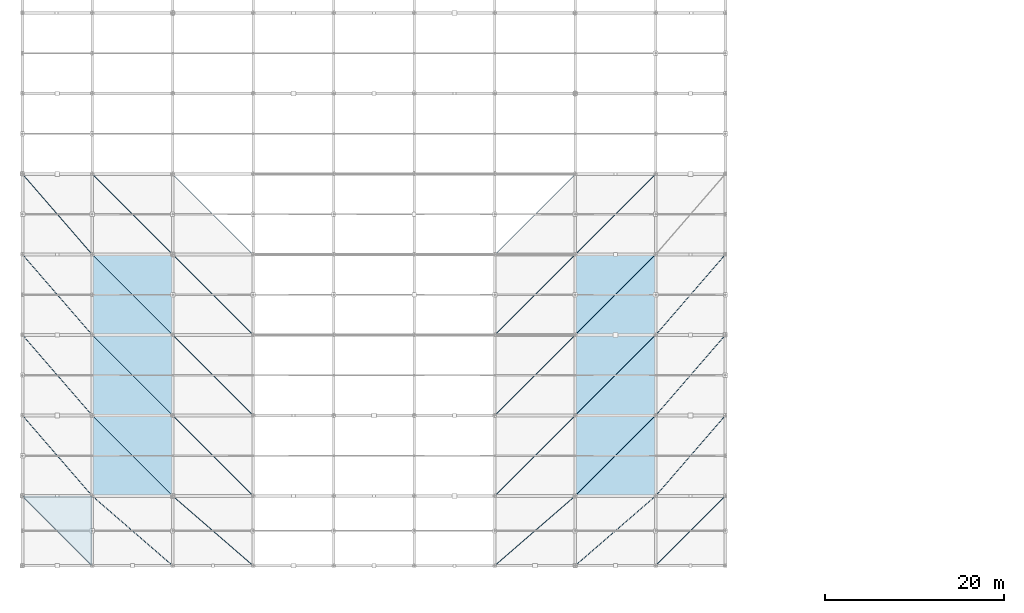
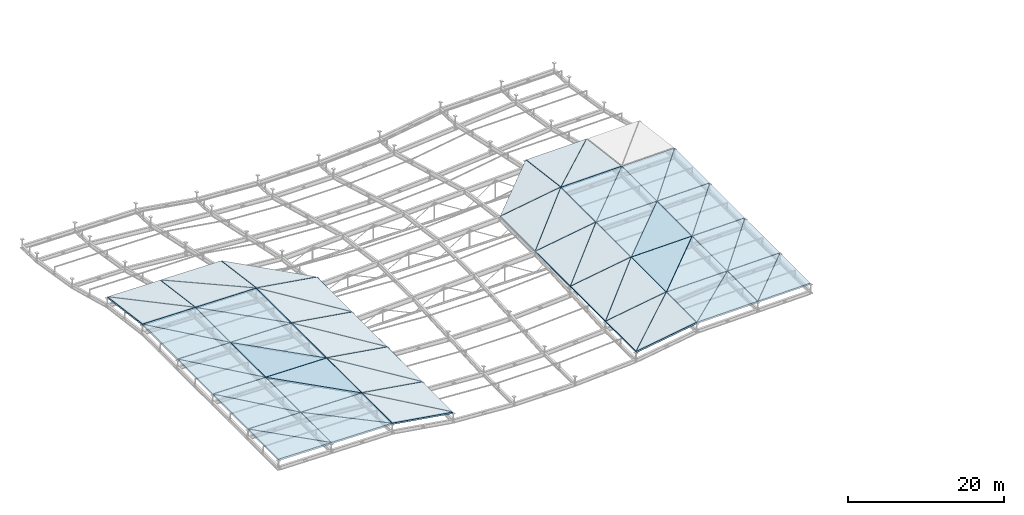
# One storey, part 74 of 80: 56 slabs.
"""IFC4 building model written with IfcOpenShell, lengths in metres."""

import ifcopenshell
import ifcopenshell.guid

model = None  # the IFC model being written
_history = None  # IfcOwnerHistory: only IFC2X3 demands one
_inside = {}  # id of a spatial element -> (the spatial element, [elements in it])
_under = {}  # id of a project, library or spatial element -> (it, [spatial elements below it])
_declared = {}  # id of a project -> (the project, [libraries it declares])
_typed = {}  # id of a type object -> (the type object, [elements of that type])
_made_of = {}  # id of a material, layer set ... -> (it, [elements and type objects made of it])


def new_model(schema):
    """Start an empty IFC model of exactly this schema.

    Asked for "IFC4X3", IfcOpenShell would pick the latest addendum, in which some entities
    have other attributes; the version numbers below select the first issue.
    IFC2X3 requires an IfcOwnerHistory on every rooted entity: one is made here for all.
    """
    global model, _history
    if schema == "IFC4X3":
        model = ifcopenshell.file(schema_version=(4, 3, 0, 0))
    else:
        model = ifcopenshell.file(schema=schema)
    _inside.clear()
    _under.clear()
    _declared.clear()
    _typed.clear()
    _made_of.clear()
    _history = None
    if model.schema == "IFC2X3":
        org = make("IfcOrganization", Name="unknown")
        user = make(
            "IfcPersonAndOrganization",
            ThePerson=make("IfcPerson", FamilyName="unknown"),
            TheOrganization=org,
        )
        app = make(
            "IfcApplication",
            ApplicationDeveloper=org,
            Version="unknown",
            ApplicationFullName="unknown",
            ApplicationIdentifier="unknown",
        )
        _history = make(
            "IfcOwnerHistory",
            OwningUser=user,
            OwningApplication=app,
            ChangeAction="ADDED",
            CreationDate=0,
        )
    return model


def make(cls, **values):
    """One entity of the class cls with the attributes given. An attribute that is None is left unset."""
    return model.create_entity(
        cls, **{name: value for name, value in values.items() if value is not None}
    )


def rooted(cls, **values):
    """An entity with a GlobalId (a new one), such as an element, a storey or a relation."""
    return make(cls, GlobalId=ifcopenshell.guid.new(), OwnerHistory=_history, **values)


def si_unit(unit_type, name, prefix=None):
    """IfcSIUnit, for example si_unit("LENGTHUNIT", "METRE", prefix="MILLI")."""
    return make("IfcSIUnit", UnitType=unit_type, Prefix=prefix, Name=name)


def assignment(units):
    """IfcUnitAssignment: the units of a project."""
    return None if units is None else make("IfcUnitAssignment", Units=units)


def point(xyz):
    """IfcCartesianPoint."""
    return None if xyz is None else make("IfcCartesianPoint", Coordinates=xyz)


def direction(xyz):
    """IfcDirection."""
    return None if xyz is None else make("IfcDirection", DirectionRatios=xyz)


def frame(location, z_axis=None, x_axis=None):
    """IfcAxis2Placement3D, a coordinate frame: its origin and axes. An axis left out is left unset."""
    return make(
        "IfcAxis2Placement3D",
        Location=point(location),
        Axis=direction(z_axis),
        RefDirection=direction(x_axis),
    )


def origin():
    """The frame at (0, 0, 0) with its axes left unset."""
    return frame((0.0, 0.0, 0.0))


def place(relative_to, where):
    """IfcLocalPlacement: puts the frame where relative to a parent placement (None: the world)."""
    return make(
        "IfcLocalPlacement", PlacementRelTo=relative_to, RelativePlacement=where
    )


def context(
    kind, dimensions, precision=None, world=None, true_north=None, identifier=None
):
    """IfcGeometricRepresentationContext, for example the 3D "Model" context."""
    return make(
        "IfcGeometricRepresentationContext",
        ContextIdentifier=identifier,
        ContextType=kind,
        CoordinateSpaceDimension=dimensions,
        Precision=precision,
        WorldCoordinateSystem=world,
        TrueNorth=true_north,
    )


def subcontext(parent, identifier, kind, view, scale=None):
    """IfcGeometricRepresentationSubContext, for example "Body" below "Model"."""
    return make(
        "IfcGeometricRepresentationSubContext",
        ContextIdentifier=identifier,
        ContextType=kind,
        ParentContext=parent,
        TargetScale=scale,
        TargetView=view,
    )


def project(units=None, contexts=None):
    """IfcProject with its units and contexts."""
    return rooted(
        "IfcProject",
        Name="project",
        RepresentationContexts=contexts,
        UnitsInContext=assignment(units),
    )


def spatial(cls, under=None, at=None, **own):
    """A site, building, storey or space (cls), placed at a placement, below another one or the project."""
    s = rooted(cls, ObjectPlacement=at, **own)
    if under is not None:
        _under.setdefault(under.id(), (under, []))[1].append(s)
    return s


def polyline(points):
    """IfcPolyline through the points."""
    return make("IfcPolyline", Points=[point(p) for p in points])


def outline(outer, holes=None, kind="AREA"):
    """IfcArbitraryClosedProfileDef: a profile drawn as a closed curve; with holes, ...WithVoids."""
    if holes is None:
        return make("IfcArbitraryClosedProfileDef", ProfileType=kind, OuterCurve=outer)
    return make(
        "IfcArbitraryProfileDefWithVoids",
        ProfileType=kind,
        OuterCurve=outer,
        InnerCurves=holes,
    )


def extrude(swept, where, along, depth):
    """IfcExtrudedAreaSolid: the profile swept, set in the frame where, extruded along a direction by depth."""
    return make(
        "IfcExtrudedAreaSolid",
        SweptArea=swept,
        Position=where,
        ExtrudedDirection=direction(along),
        Depth=depth,
    )


def shape(context_of_items, identifier, shape_type, items):
    """IfcShapeRepresentation: the items that make up one representation, for example the "Body"."""
    return make(
        "IfcShapeRepresentation",
        ContextOfItems=context_of_items,
        RepresentationIdentifier=identifier,
        RepresentationType=shape_type,
        Items=items,
    )


def material(Name=None, Category=None):
    """IfcMaterial."""
    return make("IfcMaterial", Name=Name, Category=Category)


def layer(
    of_material, thickness, ventilated=None, Name=None, Category=None, Priority=None
):
    """IfcMaterialLayer: one layer of a wall or slab, of a material (None: an air gap)."""
    return make(
        "IfcMaterialLayer",
        Material=of_material,
        LayerThickness=thickness,
        IsVentilated=ventilated,
        Name=Name,
        Category=Category,
        Priority=Priority,
    )


def layer_set(layers, Name=None):
    """IfcMaterialLayerSet."""
    return make("IfcMaterialLayerSet", MaterialLayers=layers, LayerSetName=Name)


def made_of(thing, what):
    """Note that an element or type object is made of a material, layer set ...; save() writes the relation."""
    if what is not None:
        _made_of.setdefault(what.id(), (what, []))[1].append(thing)
    return thing


def type_object(cls, material=None, **own):
    """A type object (cls), such as IfcWallType, which elements share."""
    return made_of(rooted(cls, **own), material)


def element(
    cls,
    number,
    at=None,
    inside=None,
    cuts=None,
    type_object=None,
    material=None,
    context=None,
    identifier="Body",
    shape_type=None,
    held_by="IfcProductDefinitionShape",
    body=None,
    shapes=None,
    **own,
):
    """One element of the class cls, such as IfcWall. Its Tag is "e" and its number.

    at: its placement. inside: the storey or other place that contains it. cuts: it is an
    opening in that element (IfcRelVoidsElement). A single representation is given by context,
    identifier, shape_type and body (its items); several are given by shapes. held_by: the class
    of the entity that holds the representations. save() writes the other relations.
    """
    e = rooted(cls, Tag="e%d" % number, ObjectPlacement=at, **own)
    if body is not None:
        shapes = [shape(context, identifier, shape_type, body)]
    if shapes is not None:
        e.Representation = make(held_by, Representations=shapes)
    if inside is not None:
        _inside.setdefault(inside.id(), (inside, []))[1].append(e)
    if cuts is not None:
        rooted(
            "IfcRelVoidsElement", RelatingBuildingElement=cuts, RelatedOpeningElement=e
        )
    if type_object is not None:
        _typed.setdefault(type_object.id(), (type_object, []))[1].append(e)
    return made_of(e, material)


def aggregate(whole, parts):
    """IfcRelAggregates: a whole, such as a stair, and the parts it consists of."""
    return rooted("IfcRelAggregates", RelatingObject=whole, RelatedObjects=parts)


def save(model, path):
    """Write the relations noted so far, then the file.

    IfcRelAggregates (storeys below a building ...), IfcRelContainedInSpatialStructure (elements
    in a storey), IfcRelDefinesByType, IfcRelAssociatesMaterial and IfcRelDeclares: one each for
    every whole, place, type object, material and project.
    """
    for whole, parts in _under.values():
        aggregate(whole, parts)
    for where, things in _inside.values():
        rooted(
            "IfcRelContainedInSpatialStructure",
            RelatedElements=things,
            RelatingStructure=where,
        )
    for kind, things in _typed.values():
        rooted("IfcRelDefinesByType", RelatedObjects=things, RelatingType=kind)
    for what, things in _made_of.values():
        rooted("IfcRelAssociatesMaterial", RelatedObjects=things, RelatingMaterial=what)
    for by, libraries in _declared.values():
        rooted("IfcRelDeclares", RelatingContext=by, RelatedDefinitions=libraries)
    model.write(path)


model = new_model("IFC4")

# Units and contexts
model_context = context("Model", 3, precision=1e-05, world=origin(), true_north=direction((0.0, 1.0)))
body_context = subcontext(model_context, "Body", "Model", "MODEL_VIEW")
ifc_project = project(units=[si_unit("LENGTHUNIT", "METRE"), si_unit("AREAUNIT", "SQUARE_METRE"), si_unit("VOLUMEUNIT", "CUBIC_METRE"), si_unit("PLANEANGLEUNIT", "RADIAN"), si_unit("MASSUNIT", "GRAM", prefix="KILO")], contexts=[model_context])

# Site, building, storey
site_placement = place(None, origin())
site = spatial("IfcSite", under=ifc_project, at=site_placement, CompositionType="ELEMENT")
building_placement = place(site_placement, origin())
building = spatial("IfcBuilding", under=site, at=building_placement, Name="Barlavento Convention Centre", CompositionType="ELEMENT")
storey_placement = place(building_placement, frame((0.0, 0.0, 29.800048828125)))
storey = spatial("IfcBuildingStorey", under=building, at=storey_placement, Name="RF", CompositionType="ELEMENT", Elevation=29.800048828125)

# Slabs
ifc_material = material(Name="Concrete C40/50", Category="concrete")
ifc_layer_1 = layer(ifc_material, 0.239990234375)
ifc_layer_set_1 = layer_set([ifc_layer_1], Name="STR-SLB-CONG-150")
slab_type_1 = type_object("IfcSlabType", Name="STR-SLB-CONG-150", PredefinedType="ROOF", material=ifc_layer_set_1)
slab_1_placement = place(storey_placement, frame((-0.0126953125, 0.029296875, 1.68701171875), z_axis=(0.014487110428, -1.3844544e-05, 0.999895056213), x_axis=(-0.000927820585, 0.999999569202, 2.7288841e-05)))
element("IfcSlab", 1, at=slab_1_placement, inside=storey, type_object=slab_type_1, Name="Congress sweeping roof facet CRF-04", PredefinedType="ROOF", context=body_context, shape_type="SweptSolid", body=[
    extrude(outline(polyline([(0.0, 0.0), (8.946537057274847, 1.4475793068575993e-18), (8.961788501224321, 7.752023415489901), (0.0, 0.0)])), origin(), (0.0, 0.0, -1.0), 0.239990234375),
])
slab_2_placement = place(storey_placement, frame((-7.779052734375, 9.024169921875, 1.799560546875), z_axis=(0.014486654237, -1.3844967e-05, 0.999895062823), x_axis=(0.999894522736, -0.001039260449, -0.014486660802)))
element("IfcSlab", 2, at=slab_2_placement, inside=storey, type_object=slab_type_1, Name="Congress sweeping roof facet CRF-05", PredefinedType="ROOF", context=body_context, shape_type="SweptSolid", body=[
    extrude(outline(polyline([(0.0, 0.0), (7.752282533304939, -8.585737711606402e-19), (-0.017601220600852913, 8.946519743130589), (0.0, 0.0)])), origin(), (0.0, 0.0, -1.0), 0.239990234375),
])
slab_3_placement = place(storey_placement, frame((-0.0126953125, 27.029296875, 1.68701171875), z_axis=(0.014217764248, 0.130648130895, 0.99132684876), x_axis=(-0.000919868028, 0.991428349234, -0.130648314871)))
element("IfcSlab", 3, at=slab_3_placement, inside=storey, type_object=slab_type_1, Name="Congress sweeping roof facet CRF-10", PredefinedType="ROOF", context=body_context, shape_type="SweptSolid", body=[
    extrude(outline(polyline([(0.0, 0.0), (9.02388277482726, 0.0), (9.024615107719923, 7.752006863132428), (0.0, 0.0)])), origin(), (0.0, 0.0, -1.0), 0.239990234375),
])
slab_4_placement = place(storey_placement, frame((8.98388671875, -7.772216796875, 1.556640625), z_axis=(0.014488873606, 1.5059776e-05, 0.999895030648), x_axis=(-0.001039402254, 0.999999459821, 0.0)))
element("IfcSlab", 4, at=slab_4_placement, inside=storey, type_object=slab_type_1, Name="Congress sweeping roof facet CRF-18", PredefinedType="ROOF", context=body_context, shape_type="SweptSolid", body=[
    extrude(outline(polyline([(0.0, 0.0), (7.751224890171345, 0.0), (7.768824713717596, 8.9474589515149), (0.0, 0.0)])), origin(), (0.0, 0.0, -1.0), 0.239990234375),
])
slab_5_placement = place(storey_placement, frame((0.022705078125, 0.022705078125, 1.6865234375), z_axis=(0.014512563533, -1.3817524e-05, 0.999894687109), x_axis=(0.99989425694, -0.000927495082, -0.014512570107)))
element("IfcSlab", 5, at=slab_5_placement, inside=storey, type_object=slab_type_1, Name="Congress sweeping roof facet CRF-19", PredefinedType="ROOF", context=body_context, shape_type="SweptSolid", body=[
    extrude(outline(polyline([(0.0, 0.0), (8.949676834963755, 1.3953544317034513e-18), (-0.01660335010791814, 8.948718919134393), (0.0, 0.0)])), origin(), (0.0, 0.0, -1.0), 0.239990234375),
])
slab_6_placement = place(storey_placement, frame((8.985595703125, 18.028564453125, 1.556396484375), z_axis=(0.014512563533, -1.3817524e-05, 0.999894687109), x_axis=(-0.000927592769, 0.999999569414, 2.728214e-05)))
element("IfcSlab", 6, at=slab_6_placement, inside=storey, type_object=slab_type_1, Name="Congress sweeping roof facet CRF-24", PredefinedType="ROOF", context=body_context, shape_type="SweptSolid", body=[
    extrude(outline(polyline([(0.0, 0.0), (8.948734321953502, -3.7269449679189215e-20), (8.965339420786202, 8.949661430522365), (0.0, 0.0)])), origin(), (0.0, 0.0, -1.0), 0.239990234375),
])
slab_7_placement = place(storey_placement, frame((0.022705078125, 27.022705078125, 1.6865234375), z_axis=(0.014509484782, 0.130509979158, 0.991340819391), x_axis=(0.99989425694, -0.000927495082, -0.014512570107)))
element("IfcSlab", 7, at=slab_7_placement, inside=storey, type_object=slab_type_1, Name="Congress sweeping roof facet CRF-25", PredefinedType="ROOF", context=body_context, shape_type="SweptSolid", body=[
    extrude(outline(polyline([(0.0, 0.0), (8.949676834963755, 0.0), (0.0004956887922490799, 9.025933693689018), (0.0, 0.0)])), origin(), (0.0, 0.0, -1.0), 0.239990234375),
])
slab_8_placement = place(storey_placement, frame((9.024169921875, -7.779052734375, 1.555908203125), z_axis=(0.155461560065, 0.000130468962, 0.987841933874), x_axis=(0.987841545955, -0.000916540116, -0.155461377965)))
element("IfcSlab", 8, at=slab_8_placement, inside=storey, type_object=slab_type_1, Name="Congress sweeping roof facet CRF-33", PredefinedType="ROOF", context=body_context, shape_type="SweptSolid", body=[
    extrude(outline(polyline([(0.0, 0.0), (9.056648042143944, -1.6263032587282567e-19), (-0.015101167257713823, 7.751454324686592), (0.0, 0.0)])), origin(), (0.0, 0.0, -1.0), 0.239990234375),
])
slab_9_placement = place(storey_placement, frame((17.985595703125, 9.028564453125, 0.145751953125), z_axis=(0.155529397846, 9.517193e-06, 0.987831264091), x_axis=(-0.000927592761, 0.999999560482, 0.0001364107)))
element("IfcSlab", 9, at=slab_9_placement, inside=storey, type_object=slab_type_1, Name="Congress sweeping roof facet CRF-38", PredefinedType="ROOF", context=body_context, shape_type="SweptSolid", body=[
    extrude(outline(polyline([(0.0, 0.0), (8.948734401881646, 4.0657581468206416e-19), (8.965528150969341, 9.058954865244859), (0.0, 0.0)])), origin(), (0.0, 0.0, -1.0), 0.239990234375),
])
slab_10_placement = place(storey_placement, frame((9.022705078125, 18.022705078125, 1.555908203125), z_axis=(0.155424298613, 0.000117219904, 0.987847798834), x_axis=(0.987847407595, -0.000916320507, -0.155424128324)))
element("IfcSlab", 10, at=slab_10_placement, inside=storey, type_object=slab_type_1, Name="Congress sweeping roof facet CRF-39", PredefinedType="ROOF", context=body_context, shape_type="SweptSolid", body=[
    extrude(outline(polyline([(0.0, 0.0), (9.058818598856378, -7.589415207398531e-19), (-0.01643775582147386, 8.948719224843977), (0.0, 0.0)])), origin(), (0.0, 0.0, -1.0), 0.239990234375),
])
slab_11_placement = place(storey_placement, frame((45.014404296875, 0.028564453125, 0.145751953125), z_axis=(-0.155529397846, 9.517193e-06, 0.987831264091), x_axis=(0.702765505185, 0.702765505185, 0.110640360825)))
element("IfcSlab", 11, at=slab_11_placement, inside=storey, type_object=slab_type_1, Name="Congress sweeping roof facet CRF-16", PredefinedType="ROOF", context=body_context, shape_type="SweptSolid", body=[
    extrude(outline(polyline([(0.0, 0.0), (12.74540537905198, -2.7755575615628914e-17), (6.294827650400344, 6.360423904676117), (0.0, 0.0)])), origin(), (0.0, 0.0, -1.0), 0.239990234375),
])
slab_12_placement = place(storey_placement, frame((45.028564453125, 9.014404296875, 0.14794921875), z_axis=(-0.155424298613, 0.000117219904, 0.987847798834), x_axis=(0.987847407595, 0.000916320507, 0.155424128324)))
element("IfcSlab", 12, at=slab_12_placement, inside=storey, type_object=slab_type_1, Name="Congress sweeping roof facet CRF-17", PredefinedType="ROOF", context=body_context, shape_type="SweptSolid", body=[
    extrude(outline(polyline([(0.0, 0.0), (9.058818598856378, 7.589415207398531e-19), (9.075256354677851, 8.948719224843977), (0.0, 0.0)])), origin(), (0.0, 0.0, -1.0), 0.239990234375),
])
slab_13_placement = place(storey_placement, frame((54.01611328125, -7.772216796875, 1.556640625), z_axis=(-0.014488873606, 1.5059776e-05, 0.999895030648), x_axis=(0.75569076112, 0.654837217424, 0.010940394628)))
element("IfcSlab", 13, at=slab_13_placement, inside=storey, type_object=slab_type_1, Name="Congress sweeping roof facet CRF-30", PredefinedType="ROOF", context=body_context, shape_type="SweptSolid", body=[
    extrude(outline(polyline([(0.0, 0.0), (11.84954257013803, -1.8214596497756474e-16), (5.081876125758723, 5.852864456012568), (0.0, 0.0)])), origin(), (0.0, 0.0, -1.0), 0.239990234375),
])
slab_14_placement = place(storey_placement, frame((54.028564453125, 0.014404296875, 1.556640625), z_axis=(-0.014512563533, -1.3817524e-05, 0.999894687109), x_axis=(0.99989425694, 0.000927495082, 0.014512570107)))
element("IfcSlab", 14, at=slab_14_placement, inside=storey, type_object=slab_type_1, Name="Congress sweeping roof facet CRF-31", PredefinedType="ROOF", context=body_context, shape_type="SweptSolid", body=[
    extrude(outline(polyline([(0.0, 0.0), (8.949676834963755, -1.3953544317034513e-18), (8.966280185071675, 8.948718919134393), (0.0, 0.0)])), origin(), (0.0, 0.0, -1.0), 0.239990234375),
])
slab_15_placement = place(storey_placement, frame((54.014404296875, 18.028564453125, 1.556396484375), z_axis=(-0.014512563533, -1.3817524e-05, 0.999894687109), x_axis=(0.707069473615, 0.707069473615, 0.010272242407)))
element("IfcSlab", 15, at=slab_15_placement, inside=storey, type_object=slab_type_1, Name="Congress sweeping roof facet CRF-36", PredefinedType="ROOF", context=body_context, shape_type="SweptSolid", body=[
    extrude(outline(polyline([(0.0, 0.0), (12.667823437784516, -7.619772868228125e-16), (6.333245878960833, 6.322170719107026), (0.0, 0.0)])), origin(), (0.0, 0.0, -1.0), 0.239990234375),
])
slab_16_placement = place(storey_placement, frame((54.028564453125, 27.014404296875, 1.556640625), z_axis=(-0.014509484782, 0.130509979158, 0.991340819391), x_axis=(0.99989425694, 0.000927495082, 0.014512570107)))
element("IfcSlab", 16, at=slab_16_placement, inside=storey, type_object=slab_type_1, Name="Congress sweeping roof facet CRF-37", PredefinedType="ROOF", context=body_context, shape_type="SweptSolid", body=[
    extrude(outline(polyline([(0.0, 0.0), (8.949676834963755, 0.0), (8.949181146171506, 9.02593369368902), (0.0, 0.0)])), origin(), (0.0, 0.0, -1.0), 0.239990234375),
])
slab_17_placement = place(storey_placement, frame((63.028564453125, -7.78564453125, 1.687255859375), z_axis=(-0.014491671197, -1.5979652e-05, 0.999894990092), x_axis=(0.999894416378, 0.001071124174, 0.01449168)))
element("IfcSlab", 17, at=slab_17_placement, inside=storey, type_object=slab_type_1, Name="Congress sweeping roof facet CRF-03", PredefinedType="ROOF", context=body_context, shape_type="SweptSolid", body=[
    extrude(outline(polyline([(0.0, 0.0), (7.7495975274515025, -1.267703919574268e-18), (7.7662008751062155, 7.7487659587252535), (0.0, 0.0)])), origin(), (0.0, 0.0, -1.0), 0.239990234375),
])
slab_18_placement = place(storey_placement, frame((63.0126953125, 9.029296875, 1.68701171875), z_axis=(-0.014487110428, -1.3844544e-05, 0.999895056213), x_axis=(0.65484686903, 0.755701899201, 0.009498298041)))
element("IfcSlab", 18, at=slab_18_placement, inside=storey, type_object=slab_type_1, Name="Congress sweeping roof facet CRF-08", PredefinedType="ROOF", context=body_context, shape_type="SweptSolid", body=[
    extrude(outline(polyline([(0.0, 0.0), (11.849367923015143, 5.499073418846478e-16), (6.7663501923958735, 5.852950571383327), (0.0, 0.0)])), origin(), (0.0, 0.0, -1.0), 0.239990234375),
])
slab_19_placement = place(storey_placement, frame((63.027587890625, 18.01611328125, 1.687255859375), z_axis=(-0.014486654237, -1.3844967e-05, 0.999895062823), x_axis=(0.999894522736, 0.001039260449, 0.014486660802)))
element("IfcSlab", 19, at=slab_19_placement, inside=storey, type_object=slab_type_1, Name="Congress sweeping roof facet CRF-09", PredefinedType="ROOF", context=body_context, shape_type="SweptSolid", body=[
    extrude(outline(polyline([(0.0, 0.0), (7.752282533304939, 8.585737711606402e-19), (7.769883753905792, 8.946519743130589), (0.0, 0.0)])), origin(), (0.0, 0.0, -1.0), 0.239990234375),
])
ifc_layer_2 = layer(ifc_material, 0.2548828125)
ifc_layer_set_2 = layer_set([ifc_layer_2], Name="STR-SLB-CONG-165")
slab_type_2 = type_object("IfcSlabType", Name="STR-SLB-CONG-165", PredefinedType="ROOF", material=ifc_layer_set_2)
slab_20_placement = place(storey_placement, frame((-0.014404296875, -7.771484375, 1.68701171875), z_axis=(0.014491671197, -1.5979652e-05, 0.999894990092), x_axis=(-0.001071236664, 0.999999425729, 3.1506961e-05)))
element("IfcSlab", 20, at=slab_20_placement, inside=storey, type_object=slab_type_2, Name="Congress sweeping roof facet CRF-02", PredefinedType="ROOF", context=body_context, shape_type="SweptSolid", body=[
    extrude(outline(polyline([(0.0, 0.0), (7.748783746772949, -8.614325073576234e-19), (7.765388838118538, 7.749579737535699), (0.0, 0.0)])), origin(), (0.0, 0.0, -1.0), 0.2548828125),
])
slab_21_placement = place(storey_placement, frame((-7.779052734375, 0.024169921875, 1.799560546875), z_axis=(0.014486654237, -1.3844967e-05, 0.999895062823), x_axis=(0.999894522736, -0.001039260449, -0.014486660802)))
element("IfcSlab", 21, at=slab_21_placement, inside=storey, type_object=slab_type_2, Name="Congress sweeping roof facet CRF-03", PredefinedType="ROOF", context=body_context, shape_type="SweptSolid", body=[
    extrude(outline(polyline([(0.0, 0.0), (7.752282533304939, -8.585737711606402e-19), (-0.017601220600852913, 8.946519743130589), (0.0, 0.0)])), origin(), (0.0, 0.0, -1.0), 0.2548828125),
])
slab_22_placement = place(storey_placement, frame((-0.0126953125, 18.029296875, 1.68701171875), z_axis=(0.014487110428, -1.3844544e-05, 0.999895056213), x_axis=(-0.000927820585, 0.999999569202, 2.7288841e-05)))
element("IfcSlab", 22, at=slab_22_placement, inside=storey, type_object=slab_type_2, Name="Congress sweeping roof facet CRF-08", PredefinedType="ROOF", context=body_context, shape_type="SweptSolid", body=[
    extrude(outline(polyline([(0.0, 0.0), (8.946537057274847, 1.4475793068575993e-18), (8.961788501224321, 7.752023415489901), (0.0, 0.0)])), origin(), (0.0, 0.0, -1.0), 0.2548828125),
])
slab_23_placement = place(storey_placement, frame((-7.779052734375, 27.024169921875, 1.799560546875), z_axis=(0.01449840245, 0.130488313683, 0.991343833551), x_axis=(0.999894522736, -0.001039260449, -0.014486660802)))
element("IfcSlab", 23, at=slab_23_placement, inside=storey, type_object=slab_type_2, Name="Congress sweeping roof facet CRF-09", PredefinedType="ROOF", context=body_context, shape_type="SweptSolid", body=[
    extrude(outline(polyline([(0.0, 0.0), (7.752282533304939, -1.734723475976807e-18), (-0.0005397821955635505, 9.02369149618221), (0.0, 0.0)])), origin(), (0.0, 0.0, -1.0), 0.2548828125),
])
slab_24_placement = place(storey_placement, frame((0.024169921875, -7.779052734375, 1.6865234375), z_axis=(0.014516153876, 1.5087656e-05, 0.999894634974), x_axis=(0.999894205001, -0.000927722826, -0.014516133635)))
element("IfcSlab", 24, at=slab_24_placement, inside=storey, type_object=slab_type_2, Name="Congress sweeping roof facet CRF-17", PredefinedType="ROOF", context=body_context, shape_type="SweptSolid", body=[
    extrude(outline(polyline([(0.0, 0.0), (8.9474798017414, -3.6253010142484055e-19), (-0.015246999145579664, 7.751454035364424), (0.0, 0.0)])), origin(), (0.0, 0.0, -1.0), 0.2548828125),
])
slab_25_placement = place(storey_placement, frame((8.985595703125, 9.028564453125, 1.556396484375), z_axis=(0.014512563533, -1.3817524e-05, 0.999894687109), x_axis=(-0.000927592769, 0.999999569414, 2.728214e-05)))
element("IfcSlab", 25, at=slab_25_placement, inside=storey, type_object=slab_type_2, Name="Congress sweeping roof facet CRF-22", PredefinedType="ROOF", context=body_context, shape_type="SweptSolid", body=[
    extrude(outline(polyline([(0.0, 0.0), (8.948734321953502, -3.7269449679189215e-20), (8.965339420786202, 8.949661430522365), (0.0, 0.0)])), origin(), (0.0, 0.0, -1.0), 0.2548828125),
])
slab_26_placement = place(storey_placement, frame((0.022705078125, 18.022705078125, 1.6865234375), z_axis=(0.014512563533, -1.3817524e-05, 0.999894687109), x_axis=(0.99989425694, -0.000927495082, -0.014512570107)))
element("IfcSlab", 26, at=slab_26_placement, inside=storey, type_object=slab_type_2, Name="Congress sweeping roof facet CRF-23", PredefinedType="ROOF", context=body_context, shape_type="SweptSolid", body=[
    extrude(outline(polyline([(0.0, 0.0), (8.949676834963755, 1.3953544317034513e-18), (-0.01660335010791814, 8.948718919134393), (0.0, 0.0)])), origin(), (0.0, 0.0, -1.0), 0.2548828125),
])
slab_27_placement = place(storey_placement, frame((17.985595703125, 0.028564453125, 0.145751953125), z_axis=(0.155529397846, 9.517193e-06, 0.987831264091), x_axis=(-0.000927592761, 0.999999560482, 0.0001364107)))
element("IfcSlab", 27, at=slab_27_placement, inside=storey, type_object=slab_type_2, Name="Congress sweeping roof facet CRF-36", PredefinedType="ROOF", context=body_context, shape_type="SweptSolid", body=[
    extrude(outline(polyline([(0.0, 0.0), (8.948734401881646, 4.0657581468206416e-19), (8.965528150969341, 9.058954865244859), (0.0, 0.0)])), origin(), (0.0, 0.0, -1.0), 0.2548828125),
])
slab_28_placement = place(storey_placement, frame((9.022705078125, 9.022705078125, 1.555908203125), z_axis=(0.155424298613, 0.000117219904, 0.987847798834), x_axis=(0.987847407595, -0.000916320507, -0.155424128324)))
element("IfcSlab", 28, at=slab_28_placement, inside=storey, type_object=slab_type_2, Name="Congress sweeping roof facet CRF-37", PredefinedType="ROOF", context=body_context, shape_type="SweptSolid", body=[
    extrude(outline(polyline([(0.0, 0.0), (9.058818598856378, -7.589415207398531e-19), (-0.01643775582147386, 8.948719224843977), (0.0, 0.0)])), origin(), (0.0, 0.0, -1.0), 0.2548828125),
])
slab_29_placement = place(storey_placement, frame((45.01611328125, -7.772216796875, 0.14599609375), z_axis=(-0.155540363998, 6.100486e-06, 0.987829537486), x_axis=(0.750441906904, 0.650288868726, 0.118158078749)))
element("IfcSlab", 29, at=slab_29_placement, inside=storey, type_object=slab_type_2, Name="Congress sweeping roof facet CRF-14", PredefinedType="ROOF", context=body_context, shape_type="SweptSolid", body=[
    extrude(outline(polyline([(0.0, 0.0), (11.932422431863117, 6.661338147750939e-16), (5.046722818969236, 5.883203003179738), (0.0, 0.0)])), origin(), (0.0, 0.0, -1.0), 0.2548828125),
])
slab_30_placement = place(storey_placement, frame((45.028564453125, 0.014404296875, 0.14794921875), z_axis=(-0.155424298613, 0.000117219904, 0.987847798834), x_axis=(0.987847407595, 0.000916320507, 0.155424128324)))
element("IfcSlab", 30, at=slab_30_placement, inside=storey, type_object=slab_type_2, Name="Congress sweeping roof facet CRF-15", PredefinedType="ROOF", context=body_context, shape_type="SweptSolid", body=[
    extrude(outline(polyline([(0.0, 0.0), (9.058818598856378, 7.589415207398531e-19), (9.075256354677851, 8.948719224843977), (0.0, 0.0)])), origin(), (0.0, 0.0, -1.0), 0.2548828125),
])
slab_31_placement = place(storey_placement, frame((45.014404296875, 18.028564453125, 0.145751953125), z_axis=(-0.155529397846, 9.517193e-06, 0.987831264091), x_axis=(0.702765505185, 0.702765505185, 0.110640360825)))
element("IfcSlab", 31, at=slab_31_placement, inside=storey, type_object=slab_type_2, Name="Congress sweeping roof facet CRF-20", PredefinedType="ROOF", context=body_context, shape_type="SweptSolid", body=[
    extrude(outline(polyline([(0.0, 0.0), (12.74540537905198, -2.7755575615628914e-17), (6.294827650400344, 6.360423904676117), (0.0, 0.0)])), origin(), (0.0, 0.0, -1.0), 0.2548828125),
])
slab_32_placement = place(storey_placement, frame((45.028564453125, 27.014404296875, 0.14794921875), z_axis=(-0.154240602923, 0.129089344777, 0.979564075227), x_axis=(0.987847407595, 0.000916320507, 0.155424128324)))
element("IfcSlab", 32, at=slab_32_placement, inside=storey, type_object=slab_type_2, Name="Congress sweeping roof facet CRF-21", PredefinedType="ROOF", context=body_context, shape_type="SweptSolid", body=[
    extrude(outline(polyline([(0.0, 0.0), (9.058818598856378, 0.0), (8.892132125358282, 9.024394434427764), (0.0, 0.0)])), origin(), (0.0, 0.0, -1.0), 0.2548828125),
])
slab_33_placement = place(storey_placement, frame((54.029296875, -7.787353515625, 1.556640625), z_axis=(-0.014516153876, 1.5087656e-05, 0.999894634974), x_axis=(0.999894205001, 0.000927722826, 0.014516133635)))
element("IfcSlab", 33, at=slab_33_placement, inside=storey, type_object=slab_type_2, Name="Congress sweeping roof facet CRF-29", PredefinedType="ROOF", context=body_context, shape_type="SweptSolid", body=[
    extrude(outline(polyline([(0.0, 0.0), (8.9474798017414, 3.6253010142484055e-19), (8.96272680088698, 7.751454035364424), (0.0, 0.0)])), origin(), (0.0, 0.0, -1.0), 0.2548828125),
])
slab_34_placement = place(storey_placement, frame((54.014404296875, 9.028564453125, 1.556396484375), z_axis=(-0.014512563533, -1.3817524e-05, 0.999894687109), x_axis=(0.707069473615, 0.707069473615, 0.010272242407)))
element("IfcSlab", 34, at=slab_34_placement, inside=storey, type_object=slab_type_2, Name="Congress sweeping roof facet CRF-34", PredefinedType="ROOF", context=body_context, shape_type="SweptSolid", body=[
    extrude(outline(polyline([(0.0, 0.0), (12.667823437784516, -7.619772868228125e-16), (6.333245878960833, 6.322170719107026), (0.0, 0.0)])), origin(), (0.0, 0.0, -1.0), 0.2548828125),
])
slab_35_placement = place(storey_placement, frame((54.028564453125, 18.014404296875, 1.556640625), z_axis=(-0.014512563533, -1.3817524e-05, 0.999894687109), x_axis=(0.99989425694, 0.000927495082, 0.014512570107)))
element("IfcSlab", 35, at=slab_35_placement, inside=storey, type_object=slab_type_2, Name="Congress sweeping roof facet CRF-35", PredefinedType="ROOF", context=body_context, shape_type="SweptSolid", body=[
    extrude(outline(polyline([(0.0, 0.0), (8.949676834963755, -1.3953544317034513e-18), (8.966280185071675, 8.948718919134393), (0.0, 0.0)])), origin(), (0.0, 0.0, -1.0), 0.2548828125),
])
slab_36_placement = place(storey_placement, frame((63.0126953125, 0.029296875, 1.68701171875), z_axis=(-0.014487110428, -1.3844544e-05, 0.999895056213), x_axis=(0.65484686903, 0.755701899201, 0.009498298041)))
element("IfcSlab", 36, at=slab_36_placement, inside=storey, type_object=slab_type_2, Name="Congress sweeping roof facet CRF-06", PredefinedType="ROOF", context=body_context, shape_type="SweptSolid", body=[
    extrude(outline(polyline([(0.0, 0.0), (11.849367923015143, 5.499073418846478e-16), (6.7663501923958735, 5.852950571383327), (0.0, 0.0)])), origin(), (0.0, 0.0, -1.0), 0.2548828125),
])
slab_37_placement = place(storey_placement, frame((63.027587890625, 9.01611328125, 1.687255859375), z_axis=(-0.014486654237, -1.3844967e-05, 0.999895062823), x_axis=(0.999894522736, 0.001039260449, 0.014486660802)))
element("IfcSlab", 37, at=slab_37_placement, inside=storey, type_object=slab_type_2, Name="Congress sweeping roof facet CRF-07", PredefinedType="ROOF", context=body_context, shape_type="SweptSolid", body=[
    extrude(outline(polyline([(0.0, 0.0), (7.752282533304939, 8.585737711606402e-19), (7.769883753905792, 8.946519743130589), (0.0, 0.0)])), origin(), (0.0, 0.0, -1.0), 0.2548828125),
])
ifc_layer_3 = layer(ifc_material, 0.27001953125)
ifc_layer_set_3 = layer_set([ifc_layer_3], Name="STR-SLB-CONG-180")
slab_type_3 = type_object("IfcSlabType", Name="STR-SLB-CONG-180", PredefinedType="ROOF", material=ifc_layer_set_3)
slab_38_placement = place(storey_placement, frame((-7.77734375, -7.77734375, 1.799560546875), z_axis=(0.014491671197, -1.5979652e-05, 0.999894990092), x_axis=(0.999894416378, -0.001071124174, -0.01449168)))
element("IfcSlab", 38, at=slab_38_placement, inside=storey, type_object=slab_type_3, Name="Congress sweeping roof facet CRF-01", PredefinedType="ROOF", context=body_context, shape_type="SweptSolid", body=[
    extrude(outline(polyline([(0.0, 0.0), (7.7495975274515025, 1.267703919574268e-18), (-0.016603347654711897, 7.748765958725253), (0.0, 0.0)])), origin(), (0.0, 0.0, -1.0), 0.27001953125),
])
slab_39_placement = place(storey_placement, frame((-0.0126953125, 9.029296875, 1.68701171875), z_axis=(0.014487110428, -1.3844544e-05, 0.999895056213), x_axis=(-0.000927820585, 0.999999569202, 2.7288841e-05)))
element("IfcSlab", 39, at=slab_39_placement, inside=storey, type_object=slab_type_3, Name="Congress sweeping roof facet CRF-06", PredefinedType="ROOF", context=body_context, shape_type="SweptSolid", body=[
    extrude(outline(polyline([(0.0, 0.0), (8.946537057274847, 1.4475793068575993e-18), (8.961788501224321, 7.752023415489901), (0.0, 0.0)])), origin(), (0.0, 0.0, -1.0), 0.27001953125),
])
slab_40_placement = place(storey_placement, frame((-7.779052734375, 18.024169921875, 1.799560546875), z_axis=(0.014486654237, -1.3844967e-05, 0.999895062823), x_axis=(0.999894522736, -0.001039260449, -0.014486660802)))
element("IfcSlab", 40, at=slab_40_placement, inside=storey, type_object=slab_type_3, Name="Congress sweeping roof facet CRF-07", PredefinedType="ROOF", context=body_context, shape_type="SweptSolid", body=[
    extrude(outline(polyline([(0.0, 0.0), (7.752282533304939, -8.585737711606402e-19), (-0.017601220600852913, 8.946519743130589), (0.0, 0.0)])), origin(), (0.0, 0.0, -1.0), 0.27001953125),
])
slab_41_placement = place(storey_placement, frame((8.985595703125, 0.028564453125, 1.556396484375), z_axis=(0.014512563533, -1.3817524e-05, 0.999894687109), x_axis=(-0.000927592769, 0.999999569414, 2.728214e-05)))
element("IfcSlab", 41, at=slab_41_placement, inside=storey, type_object=slab_type_3, Name="Congress sweeping roof facet CRF-20", PredefinedType="ROOF", context=body_context, shape_type="SweptSolid", body=[
    extrude(outline(polyline([(0.0, 0.0), (8.948734321953502, -3.7269449679189215e-20), (8.965339420786202, 8.949661430522365), (0.0, 0.0)])), origin(), (0.0, 0.0, -1.0), 0.27001953125),
])
slab_42_placement = place(storey_placement, frame((0.022705078125, 9.022705078125, 1.6865234375), z_axis=(0.014512563533, -1.3817524e-05, 0.999894687109), x_axis=(0.99989425694, -0.000927495082, -0.014512570107)))
element("IfcSlab", 42, at=slab_42_placement, inside=storey, type_object=slab_type_3, Name="Congress sweeping roof facet CRF-21", PredefinedType="ROOF", context=body_context, shape_type="SweptSolid", body=[
    extrude(outline(polyline([(0.0, 0.0), (8.949676834963755, 1.3953544317034513e-18), (-0.01660335010791814, 8.948718919134393), (0.0, 0.0)])), origin(), (0.0, 0.0, -1.0), 0.27001953125),
])
slab_43_placement = place(storey_placement, frame((8.985595703125, 27.028564453125, 1.556396484375), z_axis=(0.014265969934, 0.130669721078, 0.991323310578), x_axis=(-0.000919639518, 0.991425497346, -0.130669956285)))
element("IfcSlab", 43, at=slab_43_placement, inside=storey, type_object=slab_type_3, Name="Congress sweeping roof facet CRF-26", PredefinedType="ROOF", context=body_context, shape_type="SweptSolid", body=[
    extrude(outline(polyline([(0.0, 0.0), (9.026125001531819, 0.0), (9.025899549061691, 8.949645213825848), (0.0, 0.0)])), origin(), (0.0, 0.0, -1.0), 0.27001953125),
])
slab_44_placement = place(storey_placement, frame((17.98388671875, -7.772216796875, 0.14599609375), z_axis=(0.155540363998, 6.100486e-06, 0.987829537486), x_axis=(-0.001039402241, 0.999999447421, 0.000157485188)))
element("IfcSlab", 44, at=slab_44_placement, inside=storey, type_object=slab_type_3, Name="Congress sweeping roof facet CRF-34", PredefinedType="ROOF", context=body_context, shape_type="SweptSolid", body=[
    extrude(outline(polyline([(0.0, 0.0), (7.7512249862926765, -3.7947076036992655e-19), (7.76904665765177, 9.056744399819395), (0.0, 0.0)])), origin(), (0.0, 0.0, -1.0), 0.27001953125),
])
slab_45_placement = place(storey_placement, frame((9.022705078125, 0.022705078125, 1.555908203125), z_axis=(0.155424298613, 0.000117219904, 0.987847798834), x_axis=(0.987847407595, -0.000916320507, -0.155424128324)))
element("IfcSlab", 45, at=slab_45_placement, inside=storey, type_object=slab_type_3, Name="Congress sweeping roof facet CRF-35", PredefinedType="ROOF", context=body_context, shape_type="SweptSolid", body=[
    extrude(outline(polyline([(0.0, 0.0), (9.058818598856378, -7.589415207398531e-19), (-0.01643775582147386, 8.948719224843977), (0.0, 0.0)])), origin(), (0.0, 0.0, -1.0), 0.27001953125),
])
slab_46_placement = place(storey_placement, frame((17.985595703125, 18.028564453125, 0.145751953125), z_axis=(0.155529397846, 9.517193e-06, 0.987831264091), x_axis=(-0.000927592761, 0.999999560482, 0.0001364107)))
element("IfcSlab", 46, at=slab_46_placement, inside=storey, type_object=slab_type_3, Name="Congress sweeping roof facet CRF-40", PredefinedType="ROOF", context=body_context, shape_type="SweptSolid", body=[
    extrude(outline(polyline([(0.0, 0.0), (8.948734401881646, 4.0657581468206416e-19), (8.965528150969341, 9.058954865244859), (0.0, 0.0)])), origin(), (0.0, 0.0, -1.0), 0.27001953125),
])
slab_47_placement = place(storey_placement, frame((9.022705078125, 27.022705078125, 1.555908203125), z_axis=(0.154240602923, 0.129089344777, 0.979564075227), x_axis=(0.987847407595, -0.000916320507, -0.155424128324)))
element("IfcSlab", 47, at=slab_47_placement, inside=storey, type_object=slab_type_3, Name="Congress sweeping roof facet CRF-41", PredefinedType="ROOF", context=body_context, shape_type="SweptSolid", body=[
    extrude(outline(polyline([(0.0, 0.0), (9.058818598856378, 0.0), (0.16668647349809657, 9.024394434427764), (0.0, 0.0)])), origin(), (0.0, 0.0, -1.0), 0.27001953125),
])
slab_48_placement = place(storey_placement, frame((45.029296875, -7.787353515625, 0.14794921875), z_axis=(-0.155461560065, 0.000130468962, 0.987841933874), x_axis=(0.987841545955, 0.000916540116, 0.155461377965)))
element("IfcSlab", 48, at=slab_48_placement, inside=storey, type_object=slab_type_3, Name="Congress sweeping roof facet CRF-13", PredefinedType="ROOF", context=body_context, shape_type="SweptSolid", body=[
    extrude(outline(polyline([(0.0, 0.0), (9.056648042143944, 1.6263032587282567e-19), (9.071749209401657, 7.751454324686593), (0.0, 0.0)])), origin(), (0.0, 0.0, -1.0), 0.27001953125),
])
slab_49_placement = place(storey_placement, frame((45.014404296875, 9.028564453125, 0.145751953125), z_axis=(-0.155529397846, 9.517193e-06, 0.987831264091), x_axis=(0.702765505185, 0.702765505185, 0.110640360825)))
element("IfcSlab", 49, at=slab_49_placement, inside=storey, type_object=slab_type_3, Name="Congress sweeping roof facet CRF-18", PredefinedType="ROOF", context=body_context, shape_type="SweptSolid", body=[
    extrude(outline(polyline([(0.0, 0.0), (12.74540537905198, -2.7755575615628914e-17), (6.294827650400344, 6.360423904676117), (0.0, 0.0)])), origin(), (0.0, 0.0, -1.0), 0.27001953125),
])
slab_50_placement = place(storey_placement, frame((45.028564453125, 18.014404296875, 0.14794921875), z_axis=(-0.155424298613, 0.000117219904, 0.987847798834), x_axis=(0.987847407595, 0.000916320507, 0.155424128324)))
element("IfcSlab", 50, at=slab_50_placement, inside=storey, type_object=slab_type_3, Name="Congress sweeping roof facet CRF-19", PredefinedType="ROOF", context=body_context, shape_type="SweptSolid", body=[
    extrude(outline(polyline([(0.0, 0.0), (9.058818598856378, 7.589415207398531e-19), (9.075256354677851, 8.948719224843977), (0.0, 0.0)])), origin(), (0.0, 0.0, -1.0), 0.27001953125),
])
slab_51_placement = place(storey_placement, frame((54.014404296875, 0.028564453125, 1.556396484375), z_axis=(-0.014512563533, -1.3817524e-05, 0.999894687109), x_axis=(0.707069473615, 0.707069473615, 0.010272242407)))
element("IfcSlab", 51, at=slab_51_placement, inside=storey, type_object=slab_type_3, Name="Congress sweeping roof facet CRF-32", PredefinedType="ROOF", context=body_context, shape_type="SweptSolid", body=[
    extrude(outline(polyline([(0.0, 0.0), (12.667823437784516, -7.619772868228125e-16), (6.333245878960833, 6.322170719107026), (0.0, 0.0)])), origin(), (0.0, 0.0, -1.0), 0.27001953125),
])
slab_52_placement = place(storey_placement, frame((54.028564453125, 9.014404296875, 1.556640625), z_axis=(-0.014512563533, -1.3817524e-05, 0.999894687109), x_axis=(0.99989425694, 0.000927495082, 0.014512570107)))
element("IfcSlab", 52, at=slab_52_placement, inside=storey, type_object=slab_type_3, Name="Congress sweeping roof facet CRF-33", PredefinedType="ROOF", context=body_context, shape_type="SweptSolid", body=[
    extrude(outline(polyline([(0.0, 0.0), (8.949676834963755, -1.3953544317034513e-18), (8.966280185071675, 8.948718919134393), (0.0, 0.0)])), origin(), (0.0, 0.0, -1.0), 0.27001953125),
])
slab_53_placement = place(storey_placement, frame((54.014404296875, 27.028564453125, 1.556396484375), z_axis=(-0.014265969934, 0.130669721078, 0.991323310578), x_axis=(0.704681903375, 0.704681903375, -0.082745574568)))
element("IfcSlab", 53, at=slab_53_placement, inside=storey, type_object=slab_type_3, Name="Congress sweeping roof facet CRF-38", PredefinedType="ROOF", context=body_context, shape_type="SweptSolid", body=[
    extrude(outline(polyline([(0.0, 0.0), (12.71074396418667, 2.7755575615628914e-16), (6.4094515482842125, 6.355301990737722), (0.0, 0.0)])), origin(), (0.0, 0.0, -1.0), 0.27001953125),
])
slab_54_placement = place(storey_placement, frame((63.014404296875, -7.771484375, 1.68701171875), z_axis=(-0.014491671197, -1.5979652e-05, 0.999894990092), x_axis=(0.707069569776, 0.707069569776, 0.010258995741)))
element("IfcSlab", 54, at=slab_54_placement, inside=storey, type_object=slab_type_3, Name="Congress sweeping roof facet CRF-04", PredefinedType="ROOF", context=body_context, shape_type="SweptSolid", body=[
    extrude(outline(polyline([(0.0, 0.0), (10.970745185063768, -1.6371452804531117e-16), (5.484797778195343, 5.473631599455343), (0.0, 0.0)])), origin(), (0.0, 0.0, -1.0), 0.27001953125),
])
slab_55_placement = place(storey_placement, frame((63.027587890625, 0.01611328125, 1.687255859375), z_axis=(-0.014486654237, -1.3844967e-05, 0.999895062823), x_axis=(0.999894522736, 0.001039260449, 0.014486660802)))
element("IfcSlab", 55, at=slab_55_placement, inside=storey, type_object=slab_type_3, Name="Congress sweeping roof facet CRF-05", PredefinedType="ROOF", context=body_context, shape_type="SweptSolid", body=[
    extrude(outline(polyline([(0.0, 0.0), (7.752282533304939, 8.585737711606402e-19), (7.769883753905792, 8.946519743130589), (0.0, 0.0)])), origin(), (0.0, 0.0, -1.0), 0.27001953125),
])
slab_56_placement = place(storey_placement, frame((63.0126953125, 18.029296875, 1.68701171875), z_axis=(-0.014487110428, -1.3844544e-05, 0.999895056213), x_axis=(0.65484686903, 0.755701899201, 0.009498298041)))
element("IfcSlab", 56, at=slab_56_placement, inside=storey, type_object=slab_type_3, Name="Congress sweeping roof facet CRF-10", PredefinedType="ROOF", context=body_context, shape_type="SweptSolid", body=[
    extrude(outline(polyline([(0.0, 0.0), (11.849367923015143, 5.499073418846478e-16), (6.7663501923958735, 5.852950571383327), (0.0, 0.0)])), origin(), (0.0, 0.0, -1.0), 0.27001953125),
])

save(model, "model.ifc")
